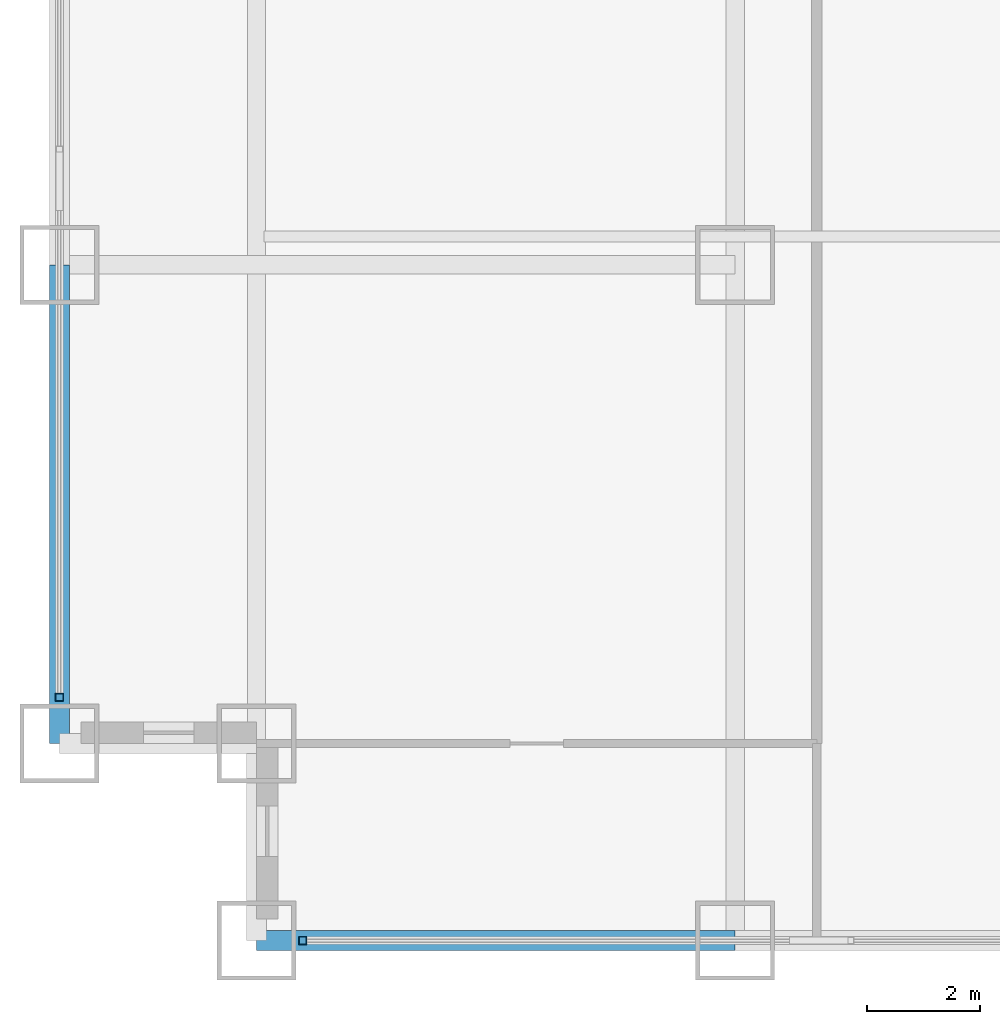
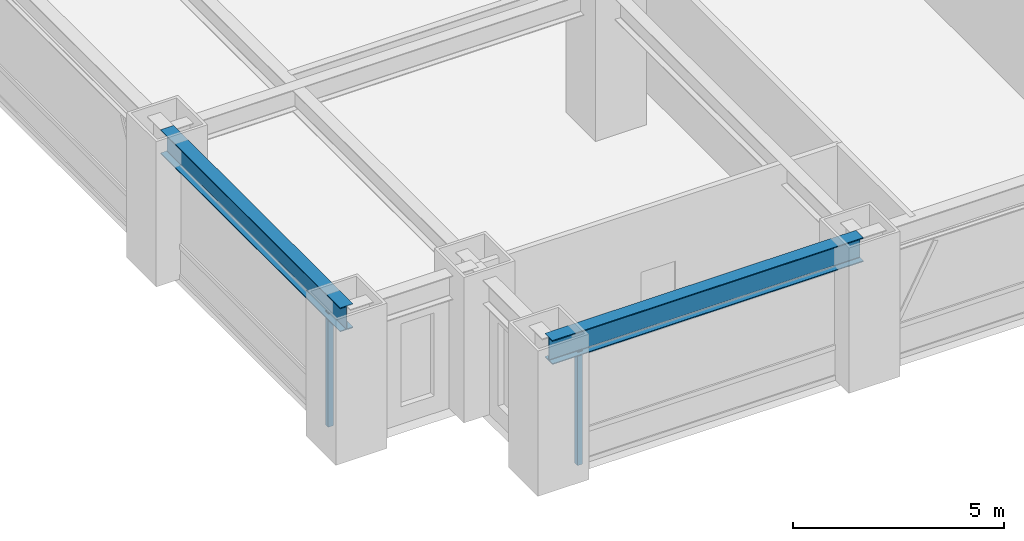
# One storey, part 2 of 27: 2 beams, 2 members, 2 elements without a shape of their own.
"""IFC4 building model written with IfcOpenShell, lengths in metres."""

from ifc_helpers import new_model, si_unit, direction, frame, origin, origin_2d, place, context, subcontext, project, spatial, hollow_rectangle, i_section, extrude, source, transform, mapped, material, material_profile, profile_set, type_object, element, aggregate, save


model = new_model("IFC4")

# Units and contexts
model_context = context("Model", 3, precision=1e-05, world=origin(), true_north=direction((0.0, 1.0)))
body_context = subcontext(model_context, "Body", "Model", "MODEL_VIEW")
ifc_project = project(units=[si_unit("LENGTHUNIT", "METRE"), si_unit("AREAUNIT", "SQUARE_METRE"), si_unit("VOLUMEUNIT", "CUBIC_METRE"), si_unit("PLANEANGLEUNIT", "RADIAN"), si_unit("MASSUNIT", "GRAM", prefix="KILO")], contexts=[model_context])

# Site, building, storey
site_placement = place(None, origin())
site = spatial("IfcSite", under=ifc_project, at=site_placement, CompositionType="ELEMENT")
building_placement = place(site_placement, origin())
building = spatial("IfcBuilding", under=site, at=building_placement, Name="Khorayat Bourse Tower", CompositionType="ELEMENT")
storey_placement = place(building_placement, frame((0.0, 0.0, 45.199951171875)))
storey = spatial("IfcBuildingStorey", under=building, at=storey_placement, Name="L09", CompositionType="ELEMENT", Elevation=45.199951171875)

# Beams
ifc_material_1 = material(Name="Steel ASTM A992 Grade 50", Category="steel")
ifc_material_profile_1 = material_profile(ifc_material_1, i_section(OverallWidth=0.35498046875, OverallDepth=0.695068359375, WebThickness=0.015380859375, FlangeThickness=0.02490234375, FilletRadius=0.01806640625, at=origin_2d()), Name="W690X217")
ifc_profile_set_1 = profile_set([ifc_material_profile_1], Name="Steel ASTM A992 Grade 50")
beam_type = type_object("IfcBeamType", Name="BM-SPAN-690", PredefinedType="SPANDREL", material=ifc_profile_set_1)
shared_shape_1 = source(origin(), body_context, "Body", "SweptSolid", [
    extrude(i_section(OverallWidth=0.35498046875, OverallDepth=0.695068359375, WebThickness=0.015380859375, FlangeThickness=0.02490234375, FilletRadius=0.01806640625, at=origin_2d()), origin(), (0.0, 0.0, 1.0), 8.5),
])
for number, where, z_axis, x_axis, name in (
    (1, (-28.5, -32.0, 3.592529296875), (1.0, 0.0, 0.0), (0.0, 1.0, 0.0), "L09 BM-SPAN-690 BM-L09-SPN-024"),
    (2, (-32.0, -28.5, 3.592529296875), (0.0, 1.0, 0.0), (-1.0, 0.0, 0.0), "L09 BM-SPAN-690 BM-L09-SPN-061"),
):
    element("IfcBeam", number, at=place(storey_placement, frame(where, z_axis=z_axis, x_axis=x_axis)), inside=storey, type_object=beam_type, Name=name, PredefinedType="SPANDREL", context=body_context, shape_type="MappedRepresentation", body=[
        mapped(shared_shape_1, transform((0.0, 0.0, 0.0), scale=1.0)),
    ])

# Curtain wall, member
ifc_material_2 = material(Name="Aluminium EN AW-6063 T6", Category="aluminium")
curtain_wall_type = type_object("IfcCurtainWallType", Name="CW-SYS-02", PredefinedType="NOTDEFINED", material=ifc_material_2)
curtain_wall_1_placement = place(storey_placement, origin())
curtain_wall_1 = element("IfcCurtainWall", 3, at=curtain_wall_1_placement, inside=storey, type_object=curtain_wall_type, Name="L09 Curtain Wall CW-L09-S1", PredefinedType="NOTDEFINED")
ifc_material_profile_2 = material_profile(ifc_material_2, hollow_rectangle(XDim=0.139892578125, YDim=0.139892578125, WallThickness=0.006103515625, at=origin_2d()), Name="ALU 140x140x6")
ifc_profile_set_2 = profile_set([ifc_material_profile_2], Name="Aluminium EN AW-6063 T6")
member_type = type_object("IfcMemberType", Name="CWM-VERT-140", PredefinedType="MULLION", material=ifc_profile_set_2)
shared_shape_2 = source(origin(), body_context, "Body", "SweptSolid", [
    extrude(hollow_rectangle(XDim=0.139892578125, YDim=0.139892578125, WallThickness=0.006103515625, at=origin_2d()), origin(), (0.0, 0.0, 1.0), 3.2900390625),
])
member_1_placement = place(storey_placement, frame((-27.679931640625, -32.0, 0.0), z_axis=(0.0, 0.0, 1.0), x_axis=(0.0, 1.0, 0.0)))
member_1 = element("IfcMember", 4, at=member_1_placement, type_object=member_type, Name="CW-L09-S1 Vertical Mullion 1", PredefinedType="MULLION", context=body_context, shape_type="MappedRepresentation", body=[
    mapped(shared_shape_2, transform((0.0, 0.0, 0.0), scale=1.0)),
])
aggregate(curtain_wall_1, [member_1])

curtain_wall_2_placement = place(storey_placement, origin())
curtain_wall_2 = element("IfcCurtainWall", 5, at=curtain_wall_2_placement, inside=storey, type_object=curtain_wall_type, Name="L09 Curtain Wall CW-L09-W1", PredefinedType="NOTDEFINED")
member_2_placement = place(storey_placement, frame((-32.0, -27.679931640625, 0.0), z_axis=(0.0, 0.0, 1.0), x_axis=(-1.0, 0.0, 0.0)))
member_2 = element("IfcMember", 6, at=member_2_placement, type_object=member_type, Name="CW-L09-W1 Vertical Mullion 1", PredefinedType="MULLION", context=body_context, shape_type="MappedRepresentation", body=[
    mapped(shared_shape_2, transform((0.0, 0.0, 0.0), scale=1.0)),
])
aggregate(curtain_wall_2, [member_2])

save(model, "model.ifc")
